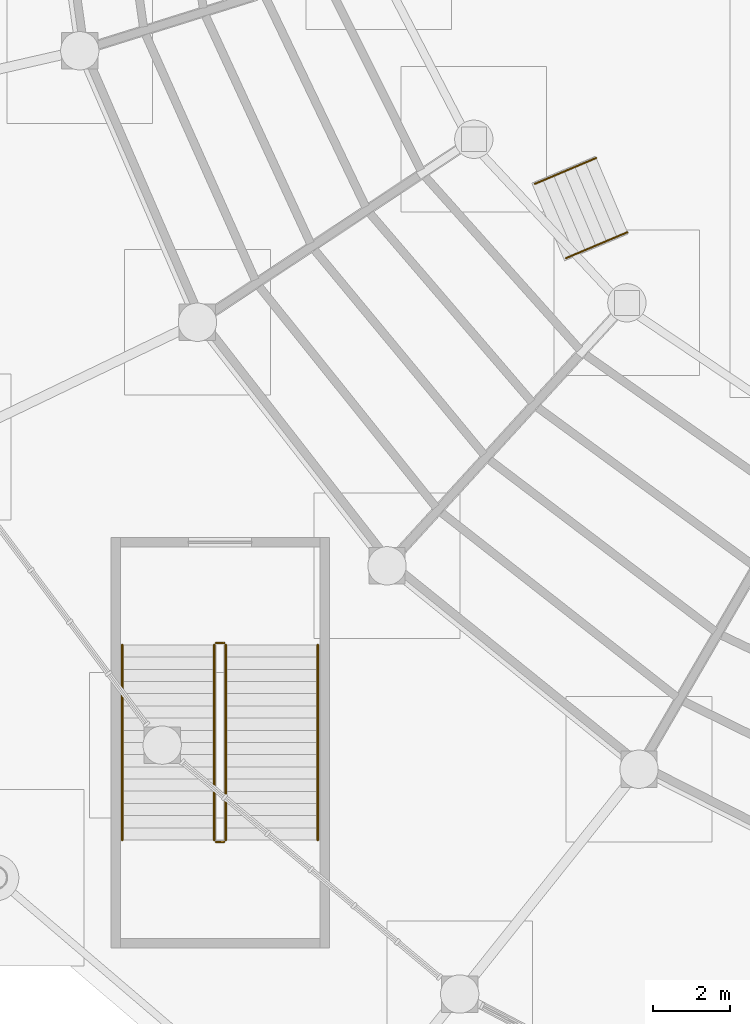
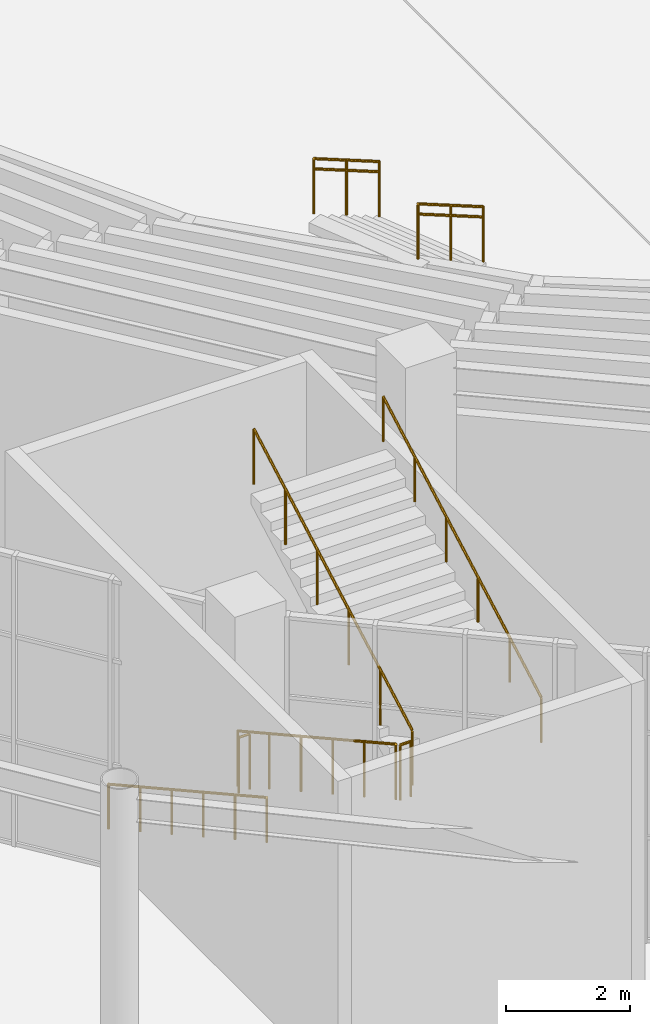
# One storey, part 103 of 121: 10 railings.
"""IFC4 building model written with IfcOpenShell, lengths in metres."""

from ifc_helpers import new_model, si_unit, direction, frame, origin, origin_2d, place, context, subcontext, project, spatial, circle, extrude, material, type_object, element, save


model = new_model("IFC4")

# Units and contexts
model_context = context("Model", 3, precision=1e-05, world=origin(), true_north=direction((0.0, 1.0)))
body_context = subcontext(model_context, "Body", "Model", "MODEL_VIEW")
ifc_project = project(units=[si_unit("LENGTHUNIT", "METRE"), si_unit("AREAUNIT", "SQUARE_METRE"), si_unit("VOLUMEUNIT", "CUBIC_METRE"), si_unit("PLANEANGLEUNIT", "RADIAN"), si_unit("MASSUNIT", "GRAM", prefix="KILO")], contexts=[model_context])

# Site, building, storey
site_placement = place(None, origin())
site = spatial("IfcSite", under=ifc_project, at=site_placement, CompositionType="ELEMENT")
building_placement = place(site_placement, origin())
building = spatial("IfcBuilding", under=site, at=building_placement, Name="Cuetzalor Civic Arena", CompositionType="ELEMENT")
storey_placement = place(building_placement, origin())
storey = spatial("IfcBuildingStorey", under=building, at=storey_placement, Name="L00", CompositionType="ELEMENT", Elevation=0.0)

# Railings
ifc_material_1 = material(Name="Reseda-green Steel S355 and laminated glass guard", Category="steel")
railing_type_1 = type_object("IfcRailingType", Name="BowlSightlineGuard_1100", PredefinedType="BALUSTRADE", material=ifc_material_1)
railing_1_placement = place(storey_placement, frame((-26.175537109375, -12.186279296875, 0.17138671875)))
element("IfcRailing", 1, at=railing_1_placement, inside=storey, type_object=railing_type_1, Name="Vomitory Stair VST-09 Guard L", PredefinedType="BALUSTRADE", context=body_context, shape_type="SweptSolid", body=[
    extrude(circle(Radius=0.02392578125, at=origin_2d()), frame((0.0, 0.0, 1.076171875), z_axis=(-0.793145449064, -0.334674286486, 0.508835355095), x_axis=(0.388765637578, -0.921336680611, 0.0)), (0.0, 0.0, 1.0), 2.021484375),
    extrude(circle(Radius=0.02099609375, at=origin_2d()), origin(), (0.0, 0.0, 1.0), 1.052001953125),
    extrude(circle(Radius=0.02099609375, at=origin_2d()), frame((-0.8017578125, -0.33837890625, 0.51416015625)), (0.0, 0.0, 1.0), 1.052001953125),
    extrude(circle(Radius=0.02099609375, at=origin_2d()), frame((-1.603271484375, -0.676513671875, 1.028564453125)), (0.0, 0.0, 1.0), 1.052001953125),
])
railing_2_placement = place(storey_placement, frame((-26.9921875, -10.25146484375, 0.17138671875)))
element("IfcRailing", 2, at=railing_2_placement, inside=storey, type_object=railing_type_1, Name="Vomitory Stair VST-09 Guard R", PredefinedType="BALUSTRADE", context=body_context, shape_type="SweptSolid", body=[
    extrude(circle(Radius=0.02392578125, at=origin_2d()), frame((0.0, 0.0, 1.076171875), z_axis=(-0.793100643822, -0.334706348466, 0.508884101801), x_axis=(0.388815895985, -0.921315472045, 0.0)), (0.0, 0.0, 1.0), 2.021240234375),
    extrude(circle(Radius=0.02099609375, at=origin_2d()), origin(), (0.0, 0.0, 1.0), 1.052001953125),
    extrude(circle(Radius=0.02099609375, at=origin_2d()), frame((-0.801513671875, -0.33837890625, 0.51416015625)), (0.0, 0.0, 1.0), 1.052001953125),
    extrude(circle(Radius=0.02099609375, at=origin_2d()), frame((-1.60302734375, -0.676513671875, 1.028564453125)), (0.0, 0.0, 1.0), 1.052001953125),
])
ifc_material_2 = material(Name="Reseda-green architectural Steel S355 balustrade", Category="steel")
railing_type_2 = type_object("IfcRailingType", Name="InteriorVoidBalustrade_1100", PredefinedType="BALUSTRADE", material=ifc_material_2)
railing_3_placement = place(storey_placement, frame((-36.949951171875, -22.949951171875, 0.176513671875)))
element("IfcRailing", 3, at=railing_3_placement, inside=storey, type_object=railing_type_2, Name="L00 ST-06 stair guard 1", PredefinedType="BALUSTRADE", context=body_context, shape_type="SweptSolid", body=[
    extrude(circle(Radius=0.02392578125, at=origin_2d()), frame((0.0, 0.0, 1.0810546875), z_axis=(0.0, -0.874394655587, 0.485215401941), x_axis=(1.0, 0.0, 0.0)), (0.0, 0.0, 1.0), 5.819091796875),
    extrude(circle(Radius=0.02099609375, at=origin_2d()), origin(), (0.0, 0.0, 1.0), 1.056884765625),
    extrude(circle(Radius=0.02099609375, at=origin_2d()), frame((0.0, -1.017578125, 0.564697265625)), (0.0, 0.0, 1.0), 1.056884765625),
    extrude(circle(Radius=0.02099609375, at=origin_2d()), frame((0.0, -2.03515625, 1.12939453125)), (0.0, 0.0, 1.0), 1.056884765625),
    extrude(circle(Radius=0.02099609375, at=origin_2d()), frame((0.0, -3.052978515625, 1.694091796875)), (0.0, 0.0, 1.0), 1.056884765625),
    extrude(circle(Radius=0.02099609375, at=origin_2d()), frame((0.0, -4.070556640625, 2.2587890625)), (0.0, 0.0, 1.0), 1.056884765625),
    extrude(circle(Radius=0.02099609375, at=origin_2d()), frame((0.0, -5.088134765625, 2.823486328125)), (0.0, 0.0, 1.0), 1.056884765625),
])
railing_4_placement = place(storey_placement, frame((-36.89990234375, -28.087890625, 3.0)))
element("IfcRailing", 4, at=railing_4_placement, inside=storey, type_object=railing_type_2, Name="L00 ST-06 stair guard 2", PredefinedType="BALUSTRADE", context=body_context, shape_type="SweptSolid", body=[
    extrude(circle(Radius=0.02392578125, at=origin_2d()), frame((0.0, 0.0, 1.0810546875), z_axis=(1.0, 0.0, 0.0), x_axis=(0.0, 1.0, 0.0)), (0.0, 0.0, 1.0), 0.199951171875),
    extrude(circle(Radius=0.02099609375, at=origin_2d()), origin(), (0.0, 0.0, 1.0), 1.056884765625),
    extrude(circle(Radius=0.02099609375, at=origin_2d()), frame((0.199951171875, 0.0, 0.0)), (0.0, 0.0, 1.0), 1.056884765625),
])
railing_5_placement = place(storey_placement, frame((-36.64990234375, -28.0380859375, 3.176513671875)))
element("IfcRailing", 5, at=railing_5_placement, inside=storey, type_object=railing_type_2, Name="L00 ST-06 stair guard 3", PredefinedType="BALUSTRADE", context=body_context, shape_type="SweptSolid", body=[
    extrude(circle(Radius=0.02392578125, at=origin_2d()), frame((0.0, 0.0, 1.0810546875), z_axis=(0.0, 0.874394655587, 0.485215401941), x_axis=(-1.0, 0.0, 0.0)), (0.0, 0.0, 1.0), 5.819091796875),
    extrude(circle(Radius=0.02099609375, at=origin_2d()), origin(), (0.0, 0.0, 1.0), 1.056884765625),
    extrude(circle(Radius=0.02099609375, at=origin_2d()), frame((0.0, 1.017578125, 0.564697265625)), (0.0, 0.0, 1.0), 1.056884765625),
    extrude(circle(Radius=0.02099609375, at=origin_2d()), frame((0.0, 2.03515625, 1.12939453125)), (0.0, 0.0, 1.0), 1.056884765625),
    extrude(circle(Radius=0.02099609375, at=origin_2d()), frame((0.0, 3.052978515625, 1.694091796875)), (0.0, 0.0, 1.0), 1.056884765625),
    extrude(circle(Radius=0.02099609375, at=origin_2d()), frame((0.0, 4.070556640625, 2.2587890625)), (0.0, 0.0, 1.0), 1.056884765625),
    extrude(circle(Radius=0.02099609375, at=origin_2d()), frame((0.0, 5.088134765625, 2.823486328125)), (0.0, 0.0, 1.0), 1.056884765625),
])
railing_6_placement = place(storey_placement, frame((-36.89990234375, -22.89990234375, 0.0)))
element("IfcRailing", 6, at=railing_6_placement, inside=storey, type_object=railing_type_2, Name="L00 ST-06 stair guard 4", PredefinedType="BALUSTRADE", context=body_context, shape_type="SweptSolid", body=[
    extrude(circle(Radius=0.02392578125, at=origin_2d()), frame((0.0, 0.0, 1.0810546875), z_axis=(1.0, 0.0, 0.0), x_axis=(0.0, 1.0, 0.0)), (0.0, 0.0, 1.0), 0.199951171875),
    extrude(circle(Radius=0.02099609375, at=origin_2d()), origin(), (0.0, 0.0, 1.0), 1.056884765625),
    extrude(circle(Radius=0.02099609375, at=origin_2d()), frame((0.199951171875, 0.0, 0.0)), (0.0, 0.0, 1.0), 1.056884765625),
])
ifc_material_3 = material(Name="Galvanised steel S355", Category="steel")
railing_type_3 = type_object("IfcRailingType", Name="StairPitchHandrail_900", PredefinedType="HANDRAIL", material=ifc_material_3)
railing_7_placement = place(storey_placement, frame((-39.35009765625, -22.949951171875, 0.176513671875)))
element("IfcRailing", 7, at=railing_7_placement, inside=storey, type_object=railing_type_3, Name="L00 ST-06 stair handrail 1", PredefinedType="HANDRAIL", context=body_context, shape_type="SweptSolid", body=[
    extrude(circle(Radius=0.02392578125, at=origin_2d()), frame((0.0, 0.0, 0.8759765625), z_axis=(0.0, -0.874394655587, 0.485215401941), x_axis=(1.0, 0.0, 0.0)), (0.0, 0.0, 1.0), 5.819091796875),
    extrude(circle(Radius=0.02099609375, at=origin_2d()), origin(), (0.0, 0.0, 1.0), 0.851806640625),
    extrude(circle(Radius=0.02099609375, at=origin_2d()), frame((0.0, -1.017578125, 0.564697265625)), (0.0, 0.0, 1.0), 0.851806640625),
    extrude(circle(Radius=0.02099609375, at=origin_2d()), frame((0.0, -2.03515625, 1.12939453125)), (0.0, 0.0, 1.0), 0.851806640625),
    extrude(circle(Radius=0.02099609375, at=origin_2d()), frame((0.0, -3.052978515625, 1.694091796875)), (0.0, 0.0, 1.0), 0.851806640625),
    extrude(circle(Radius=0.02099609375, at=origin_2d()), frame((0.0, -4.070556640625, 2.2587890625)), (0.0, 0.0, 1.0), 0.851806640625),
    extrude(circle(Radius=0.02099609375, at=origin_2d()), frame((0.0, -5.088134765625, 2.823486328125)), (0.0, 0.0, 1.0), 0.851806640625),
])
railing_8_placement = place(storey_placement, frame((-34.25, -28.0380859375, 3.176513671875)))
element("IfcRailing", 8, at=railing_8_placement, inside=storey, type_object=railing_type_3, Name="L00 ST-06 stair handrail 2", PredefinedType="HANDRAIL", context=body_context, shape_type="SweptSolid", body=[
    extrude(circle(Radius=0.02392578125, at=origin_2d()), frame((0.0, 0.0, 0.8759765625), z_axis=(0.0, 0.874394655587, 0.485215401941), x_axis=(-1.0, 0.0, 0.0)), (0.0, 0.0, 1.0), 5.819091796875),
    extrude(circle(Radius=0.02099609375, at=origin_2d()), origin(), (0.0, 0.0, 1.0), 0.851806640625),
    extrude(circle(Radius=0.02099609375, at=origin_2d()), frame((0.0, 1.017578125, 0.564697265625)), (0.0, 0.0, 1.0), 0.851806640625),
    extrude(circle(Radius=0.02099609375, at=origin_2d()), frame((0.0, 2.03515625, 1.12939453125)), (0.0, 0.0, 1.0), 0.851806640625),
    extrude(circle(Radius=0.02099609375, at=origin_2d()), frame((0.0, 3.052978515625, 1.694091796875)), (0.0, 0.0, 1.0), 0.851806640625),
    extrude(circle(Radius=0.02099609375, at=origin_2d()), frame((0.0, 4.070556640625, 2.2587890625)), (0.0, 0.0, 1.0), 0.851806640625),
    extrude(circle(Radius=0.02099609375, at=origin_2d()), frame((0.0, 5.088134765625, 2.823486328125)), (0.0, 0.0, 1.0), 0.851806640625),
])
railing_9_placement = place(storey_placement, frame((-26.175537109375, -12.186279296875, 0.17138671875)))
element("IfcRailing", 9, at=railing_9_placement, inside=storey, type_object=railing_type_3, Name="Vomitory Stair VST-09 Handrail L", PredefinedType="HANDRAIL", context=body_context, shape_type="SweptSolid", body=[
    extrude(circle(Radius=0.02392578125, at=origin_2d()), frame((0.0, 0.0, 0.8759765625), z_axis=(-0.793145449064, -0.334674286486, 0.508835355095), x_axis=(0.388765637578, -0.921336680611, 0.0)), (0.0, 0.0, 1.0), 2.021484375),
    extrude(circle(Radius=0.02099609375, at=origin_2d()), origin(), (0.0, 0.0, 1.0), 0.851806640625),
    extrude(circle(Radius=0.02099609375, at=origin_2d()), frame((-0.8017578125, -0.33837890625, 0.51416015625)), (0.0, 0.0, 1.0), 0.851806640625),
    extrude(circle(Radius=0.02099609375, at=origin_2d()), frame((-1.603271484375, -0.676513671875, 1.028564453125)), (0.0, 0.0, 1.0), 0.851806640625),
])
railing_10_placement = place(storey_placement, frame((-26.9921875, -10.25146484375, 0.17138671875)))
element("IfcRailing", 10, at=railing_10_placement, inside=storey, type_object=railing_type_3, Name="Vomitory Stair VST-09 Handrail R", PredefinedType="HANDRAIL", context=body_context, shape_type="SweptSolid", body=[
    extrude(circle(Radius=0.02392578125, at=origin_2d()), frame((0.0, 0.0, 0.8759765625), z_axis=(-0.793100643822, -0.334706348466, 0.508884101801), x_axis=(0.388815895985, -0.921315472045, 0.0)), (0.0, 0.0, 1.0), 2.021240234375),
    extrude(circle(Radius=0.02099609375, at=origin_2d()), origin(), (0.0, 0.0, 1.0), 0.851806640625),
    extrude(circle(Radius=0.02099609375, at=origin_2d()), frame((-0.801513671875, -0.33837890625, 0.51416015625)), (0.0, 0.0, 1.0), 0.851806640625),
    extrude(circle(Radius=0.02099609375, at=origin_2d()), frame((-1.60302734375, -0.676513671875, 1.028564453125)), (0.0, 0.0, 1.0), 0.851806640625),
])

save(model, "model.ifc")
